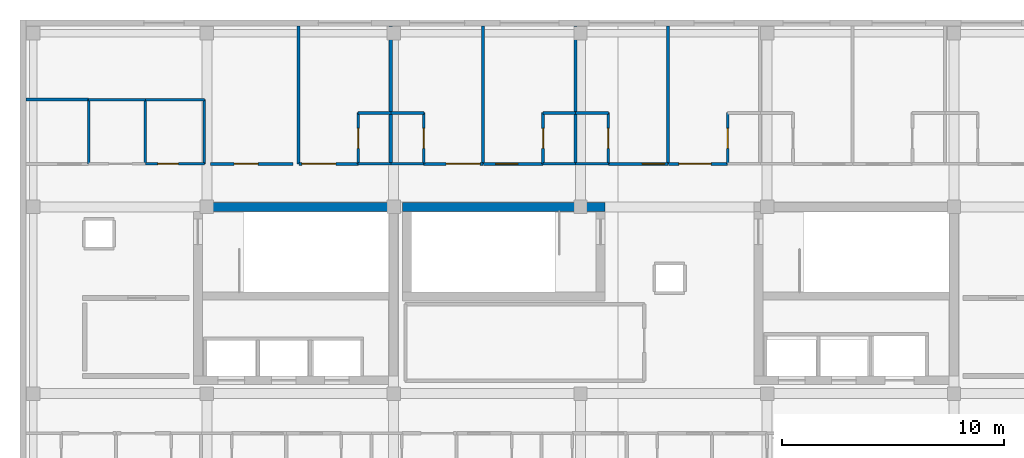
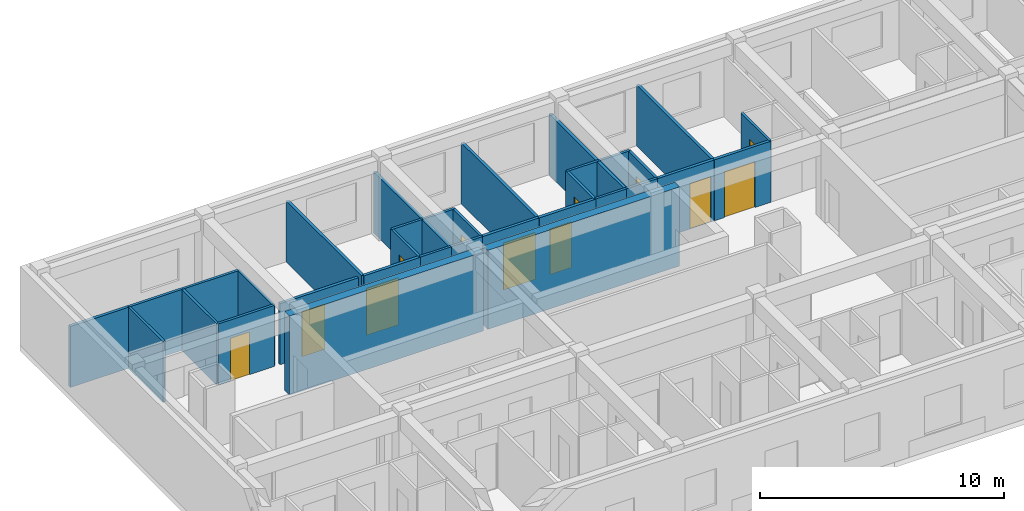
# One storey, part 4 of 7: 33 walls, 12 doors, 12 openings.
"""IFC4 building model written with IfcOpenShell, lengths in metres."""

from ifc_helpers import new_model, si_unit, direction, frame, frame_2d, origin, place, context, subcontext, project, spatial, rectangle, extrude, material, layer, layer_set, type_object, element, fill, save


model = new_model("IFC4")

# Units and contexts
model_context = context("Model", 3, precision=1e-05, world=origin(), true_north=direction((0.0, 1.0)))
body_context = subcontext(model_context, "Body", "Model", "MODEL_VIEW")
ifc_project = project(units=[si_unit("LENGTHUNIT", "METRE"), si_unit("AREAUNIT", "SQUARE_METRE"), si_unit("VOLUMEUNIT", "CUBIC_METRE"), si_unit("PLANEANGLEUNIT", "RADIAN"), si_unit("MASSUNIT", "GRAM", prefix="KILO")], contexts=[model_context])

# Site, building, storey
site_placement = place(None, origin())
site = spatial("IfcSite", under=ifc_project, at=site_placement, CompositionType="ELEMENT")
building_placement = place(site_placement, origin())
building = spatial("IfcBuilding", under=site, at=building_placement, Name="Zayran Congress Hotel", CompositionType="ELEMENT")
storey_placement = place(building_placement, frame((0.0, 0.0, 44.39990234375)))
storey = spatial("IfcBuildingStorey", under=building, at=storey_placement, Name="L11", CompositionType="ELEMENT", Elevation=44.39990234375)

# Walls
ifc_material_1 = material(Name="Concrete C40/50", Category="concrete")
ifc_layer_1 = layer(ifc_material_1, 0.39990234375)
ifc_layer_set_1 = layer_set([ifc_layer_1], Name="Concrete C40/50")
wall_type_1 = type_object("IfcWallType", Name="WL-SH-400", PredefinedType="SHEAR", material=ifc_layer_set_1)
wall_1_placement = place(storey_placement, frame((33.800048828125, 25.5849609375, 0.0), z_axis=(0.0, 0.0, 1.0), x_axis=(-1.0, 0.0, 0.0)))
element("IfcWall", 1, at=wall_1_placement, inside=storey, type_object=wall_type_1, Name="CWALL-C-V5W-L11-N", PredefinedType="SHEAR", context=body_context, shape_type="SweptSolid", body=[
    extrude(rectangle(XDim=9.199951171875, YDim=0.39990234375, at=frame_2d((4.60009765625, 0.0))), origin(), (0.0, 0.0, 1.0), 3.960205078125),
])
wall_2_placement = place(storey_placement, frame((43.10009765625, 25.5849609375, 0.0), z_axis=(0.0, 0.0, 1.0), x_axis=(-1.0, 0.0, 0.0)))
element("IfcWall", 2, at=wall_2_placement, inside=storey, type_object=wall_type_1, Name="CWALL-C-V5M-L11-N", PredefinedType="SHEAR", context=body_context, shape_type="SweptSolid", body=[
    extrude(rectangle(XDim=9.10009765625, YDim=0.39990234375, at=frame_2d((4.550048828125, 0.0))), origin(), (0.0, 0.0, 1.0), 3.960205078125),
])

# Wall, opening, door
ifc_material_2 = material(Name="Hospitality guestroom acoustic partition", Category="gypsum")
ifc_layer_2 = layer(ifc_material_2, 0.139892578125)
ifc_layer_set_2 = layer_set([ifc_layer_2], Name="Hospitality guestroom acoustic partition")
wall_type_2 = type_object("IfcWallType", Name="WL-PT-140", PredefinedType="PARTITIONING", material=ifc_layer_set_2)
wall_3_placement = place(storey_placement, frame((25.360107421875, 27.530029296875, 0.0), z_axis=(0.0, 0.0, 1.0), x_axis=(1.0, 0.0, 0.0)))
wall_3 = element("IfcWall", 3, at=wall_3_placement, inside=storey, type_object=wall_type_2, Name="IW-L11-0849", PredefinedType="PARTITIONING", context=body_context, shape_type="SweptSolid", body=[
    extrude(rectangle(XDim=3.7099609375, YDim=0.139892578125, at=frame_2d((1.85498046875, 0.0))), origin(), (0.0, 0.0, 1.0), 3.06005859375),
])
opening_1_placement = place(wall_3_placement, frame((1.06298828125, 0.0, 0.0)))
opening_1 = element("IfcOpeningElement", 4, at=opening_1_placement, cuts=wall_3, Name="Opening DR-MT-01", PredefinedType="OPENING", context=body_context, shape_type="SweptSolid", body=[
    extrude(rectangle(XDim=1.080078125, YDim=2.25, at=frame_2d((0.5400390625, 1.125))), frame((0.0, 0.079833984375, 0.0), z_axis=(0.0, -1.0, 0.0), x_axis=(1.0, 0.0, 0.0)), (0.0, 0.0, 1.0), 0.159912109375),
])
ifc_material_3 = material(Name="Acoustic timber seminar room door", Category="wood")
door_type_1 = type_object("IfcDoorType", Name="TP-DR-MT-01", OperationType="NOTDEFINED", PredefinedType="DOOR", material=ifc_material_3)
door_1_placement = place(opening_1_placement, origin())
door_1 = element("IfcDoor", 5, at=door_1_placement, inside=storey, type_object=door_type_1, Name="Presidential Dining Salon L11 Door", OperationType="SINGLE_SWING_RIGHT", OverallHeight=2.25, OverallWidth=1.080078125, PredefinedType="DOOR", context=body_context, shape_type="SweptSolid", body=[
    extrude(rectangle(XDim=1.080078125, YDim=2.25, at=frame_2d((0.5400390625, 1.125))), frame((0.0, 0.02490234375, 0.0), z_axis=(0.0, -1.0, 0.0), x_axis=(1.0, 0.0, 0.0)), (0.0, 0.0, 1.0), 0.050048828125),
])
fill(opening_1, door_1)

wall_4_placement = place(storey_placement, frame((29.340087890625, 27.530029296875, 0.0), z_axis=(0.0, 0.0, 1.0), x_axis=(1.0, 0.0, 0.0)))
wall_4 = element("IfcWall", 6, at=wall_4_placement, inside=storey, type_object=wall_type_2, Name="IW-L11-0850", PredefinedType="PARTITIONING", context=body_context, shape_type="SweptSolid", body=[
    extrude(rectangle(XDim=2.6748046875, YDim=0.139892578125, at=frame_2d((1.33740234375, 0.0))), origin(), (0.0, 0.0, 1.0), 3.06005859375),
])
opening_2_placement = place(wall_4_placement, frame((0.139892578125, 0.0, 0.0)))
opening_2 = element("IfcOpeningElement", 7, at=opening_2_placement, cuts=wall_4, Name="Opening DR-ST-02", PredefinedType="OPENING", context=body_context, shape_type="SweptSolid", body=[
    extrude(rectangle(XDim=1.52001953125, YDim=2.35009765625, at=frame_2d((0.760009765625, 1.175048828125))), frame((0.0, 0.079833984375, 0.0), z_axis=(0.0, -1.0, 0.0), x_axis=(1.0, 0.0, 0.0)), (0.0, 0.0, 1.0), 0.159912109375),
])
ifc_material_4 = material(Name="Double presidential suite entry door", Category="steel")
door_type_2 = type_object("IfcDoorType", Name="TP-DR-ST-02", OperationType="DOUBLE_DOOR_SINGLE_SWING", PredefinedType="DOOR", material=ifc_material_4)
door_2_placement = place(opening_2_placement, origin())
door_2 = element("IfcDoor", 8, at=door_2_placement, inside=storey, type_object=door_type_2, Name="Presidential Suite L11-10 Door", OperationType="DOUBLE_DOOR_SINGLE_SWING", OverallHeight=2.35009765625, OverallWidth=1.52001953125, PredefinedType="DOOR", context=body_context, shape_type="SweptSolid", body=[
    extrude(rectangle(XDim=1.52001953125, YDim=2.35009765625, at=frame_2d((0.760009765625, 1.175048828125))), frame((0.0, 0.02490234375, 0.0), z_axis=(0.0, -1.0, 0.0), x_axis=(1.0, 0.0, 0.0)), (0.0, 0.0, 1.0), 0.050048828125),
])
fill(opening_2, door_2)

wall_5_placement = place(storey_placement, frame((34.948974609375, 27.530029296875, 0.0), z_axis=(0.0, 0.0, 1.0), x_axis=(1.0, 0.0, 0.0)))
wall_5 = element("IfcWall", 9, at=wall_5_placement, inside=storey, type_object=wall_type_2, Name="IW-L11-0851", PredefinedType="PARTITIONING", context=body_context, shape_type="SweptSolid", body=[
    extrude(rectangle(XDim=2.675048828125, YDim=0.139892578125, at=frame_2d((1.33740234375, 0.0))), origin(), (0.0, 0.0, 1.0), 3.06005859375),
])
opening_3_placement = place(wall_5_placement, frame((1.014892578125, 0.0, 0.0)))
opening_3 = element("IfcOpeningElement", 10, at=opening_3_placement, cuts=wall_5, Name="Opening DR-ST-02", PredefinedType="OPENING", context=body_context, shape_type="SweptSolid", body=[
    extrude(rectangle(XDim=1.52001953125, YDim=2.35009765625, at=frame_2d((0.760009765625, 1.175048828125))), frame((0.0, 0.079833984375, 0.0), z_axis=(0.0, -1.0, 0.0), x_axis=(1.0, 0.0, 0.0)), (0.0, 0.0, 1.0), 0.159912109375),
])
door_3_placement = place(opening_3_placement, origin())
door_3 = element("IfcDoor", 11, at=door_3_placement, inside=storey, type_object=door_type_2, Name="Presidential Suite L11-11 Door", OperationType="DOUBLE_DOOR_SINGLE_SWING", OverallHeight=2.35009765625, OverallWidth=1.52001953125, PredefinedType="DOOR", context=body_context, shape_type="SweptSolid", body=[
    extrude(rectangle(XDim=1.52001953125, YDim=2.35009765625, at=frame_2d((0.760009765625, 1.175048828125))), frame((0.0, 0.02490234375, 0.0), z_axis=(0.0, -1.0, 0.0), x_axis=(1.0, 0.0, 0.0)), (0.0, 0.0, 1.0), 0.050048828125),
])
fill(opening_3, door_3)

wall_6_placement = place(storey_placement, frame((37.64404296875, 27.530029296875, 0.0), z_axis=(0.0, 0.0, 1.0), x_axis=(1.0, 0.0, 0.0)))
wall_6 = element("IfcWall", 12, at=wall_6_placement, inside=storey, type_object=wall_type_2, Name="IW-L11-0852", PredefinedType="PARTITIONING", context=body_context, shape_type="SweptSolid", body=[
    extrude(rectangle(XDim=2.675048828125, YDim=0.139892578125, at=frame_2d((1.33740234375, 0.0))), origin(), (0.0, 0.0, 1.0), 3.06005859375),
])
opening_4_placement = place(wall_6_placement, frame((0.5390625, 0.0, 0.0)))
opening_4 = element("IfcOpeningElement", 13, at=opening_4_placement, cuts=wall_6, Name="Opening DR-GR-04", PredefinedType="OPENING", context=body_context, shape_type="SweptSolid", body=[
    extrude(rectangle(XDim=1.0, YDim=2.280029296875, at=frame_2d((0.5, 1.14013671875))), frame((0.0, 0.079833984375, 0.0), z_axis=(0.0, -1.0, 0.0), x_axis=(1.0, 0.0, 0.0)), (0.0, 0.0, 1.0), 0.159912109375),
])
ifc_material_5 = material(Name="Diplomatic walnut veneer entry door", Category="wood")
door_type_3 = type_object("IfcDoorType", Name="TP-DR-GR-04", OperationType="NOTDEFINED", PredefinedType="DOOR", material=ifc_material_5)
door_4_placement = place(opening_4_placement, origin())
door_4 = element("IfcDoor", 14, at=door_4_placement, inside=storey, type_object=door_type_3, Name="Guest Room L11-12 Door", OperationType="SINGLE_SWING_LEFT", OverallHeight=2.280029296875, OverallWidth=1.0, PredefinedType="DOOR", context=body_context, shape_type="SweptSolid", body=[
    extrude(rectangle(XDim=1.0, YDim=2.280029296875, at=frame_2d((0.5, 1.14013671875))), frame((0.0, 0.02490234375, 0.0), z_axis=(0.0, -1.0, 0.0), x_axis=(1.0, 0.0, 0.0)), (0.0, 0.0, 1.0), 0.050048828125),
])
fill(opening_4, door_4)

wall_7_placement = place(storey_placement, frame((43.25390625, 27.530029296875, 0.0), z_axis=(0.0, 0.0, 1.0), x_axis=(1.0, 0.0, 0.0)))
wall_7 = element("IfcWall", 15, at=wall_7_placement, inside=storey, type_object=wall_type_2, Name="IW-L11-0853", PredefinedType="PARTITIONING", context=body_context, shape_type="SweptSolid", body=[
    extrude(rectangle(XDim=2.675048828125, YDim=0.139892578125, at=frame_2d((1.33740234375, 0.0))), origin(), (0.0, 0.0, 1.0), 3.06005859375),
])
opening_5_placement = place(wall_7_placement, frame((1.534912109375, 0.0, 0.0)))
opening_5 = element("IfcOpeningElement", 16, at=opening_5_placement, cuts=wall_7, Name="Opening DR-GR-04", PredefinedType="OPENING", context=body_context, shape_type="SweptSolid", body=[
    extrude(rectangle(XDim=1.0, YDim=2.280029296875, at=frame_2d((0.5, 1.14013671875))), frame((0.0, 0.079833984375, 0.0), z_axis=(0.0, -1.0, 0.0), x_axis=(1.0, 0.0, 0.0)), (0.0, 0.0, 1.0), 0.159912109375),
])
door_5_placement = place(opening_5_placement, origin())
door_5 = element("IfcDoor", 17, at=door_5_placement, inside=storey, type_object=door_type_3, Name="Guest Room L11-13 Door", OperationType="SINGLE_SWING_RIGHT", OverallHeight=2.280029296875, OverallWidth=1.0, PredefinedType="DOOR", context=body_context, shape_type="SweptSolid", body=[
    extrude(rectangle(XDim=1.0, YDim=2.280029296875, at=frame_2d((0.5, 1.14013671875))), frame((0.0, 0.02490234375, 0.0), z_axis=(0.0, -1.0, 0.0), x_axis=(1.0, 0.0, 0.0)), (0.0, 0.0, 1.0), 0.050048828125),
])
fill(opening_5, door_5)

wall_8_placement = place(storey_placement, frame((45.948974609375, 27.530029296875, 0.0), z_axis=(0.0, 0.0, 1.0), x_axis=(1.0, 0.0, 0.0)))
wall_8 = element("IfcWall", 18, at=wall_8_placement, inside=storey, type_object=wall_type_2, Name="IW-L11-0854", PredefinedType="PARTITIONING", context=body_context, shape_type="SweptSolid", body=[
    extrude(rectangle(XDim=2.675048828125, YDim=0.139892578125, at=frame_2d((1.33740234375, 0.0))), origin(), (0.0, 0.0, 1.0), 3.06005859375),
])
opening_6_placement = place(wall_8_placement, frame((0.47705078125, 0.0, 0.0)))
opening_6 = element("IfcOpeningElement", 19, at=opening_6_placement, cuts=wall_8, Name="Opening DR-ST-01", PredefinedType="OPENING", context=body_context, shape_type="SweptSolid", body=[
    extrude(rectangle(XDim=1.449951171875, YDim=2.300048828125, at=frame_2d((0.72509765625, 1.14990234375))), frame((0.0, 0.079833984375, 0.0), z_axis=(0.0, -1.0, 0.0), x_axis=(1.0, 0.0, 0.0)), (0.0, 0.0, 1.0), 0.159912109375),
])
ifc_material_6 = material(Name="Double walnut veneer suite entry door", Category="wood")
door_type_4 = type_object("IfcDoorType", Name="TP-DR-ST-01", OperationType="DOUBLE_DOOR_SINGLE_SWING", PredefinedType="DOOR", material=ifc_material_6)
door_6_placement = place(opening_6_placement, origin())
door_6 = element("IfcDoor", 20, at=door_6_placement, inside=storey, type_object=door_type_4, Name="Executive Suite L11-14 Door", OperationType="DOUBLE_DOOR_SINGLE_SWING", OverallHeight=2.300048828125, OverallWidth=1.449951171875, PredefinedType="DOOR", context=body_context, shape_type="SweptSolid", body=[
    extrude(rectangle(XDim=1.449951171875, YDim=2.300048828125, at=frame_2d((0.72509765625, 1.14990234375))), frame((0.0, 0.02490234375, 0.0), z_axis=(0.0, -1.0, 0.0), x_axis=(1.0, 0.0, 0.0)), (0.0, 0.0, 1.0), 0.050048828125),
])
fill(opening_6, door_6)

# Walls
wall_9_placement = place(storey_placement, frame((17.080078125, 30.419921875, 0.0), z_axis=(0.0, 0.0, 1.0), x_axis=(1.0, 0.0, 0.0)))
element("IfcWall", 21, at=wall_9_placement, inside=storey, type_object=wall_type_2, Name="IW-L11-2184", PredefinedType="PARTITIONING", context=body_context, shape_type="SweptSolid", body=[
    extrude(rectangle(XDim=2.7998046875, YDim=0.139892578125, at=frame_2d((1.39990234375, 0.0))), origin(), (0.0, 0.0, 1.0), 3.06005859375),
])
for number, where, z_axis, x_axis, name in (
    (22, (29.320068359375, 27.52001953125, 0.0), (0.0, 0.0, 1.0), (0.0, 1.0, 0.0), "IW-L11-2185"),
    (23, (33.471923828125, 27.52001953125, 0.0), (0.0, 0.0, 1.0), (0.0, 1.0, 0.0), "IW-L11-2186"),
    (24, (37.6240234375, 27.52001953125, 0.0), (0.0, 0.0, 1.0), (0.0, 1.0, 0.0), "IW-L11-2187"),
    (25, (41.777099609375, 27.52001953125, 0.0), (0.0, 0.0, 1.0), (0.0, 1.0, 0.0), "IW-L11-2188"),
    (26, (45.928955078125, 27.52001953125, 0.0), (0.0, 0.0, 1.0), (0.0, 1.0, 0.0), "IW-L11-2189"),
):
    element("IfcWall", number, at=place(storey_placement, frame(where, z_axis=z_axis, x_axis=x_axis)), inside=storey, type_object=wall_type_2, Name=name, PredefinedType="PARTITIONING", context=body_context, shape_type="SweptSolid", body=[
        extrude(rectangle(XDim=6.199951171875, YDim=0.139892578125, at=frame_2d((3.10009765625, 0.0))), origin(), (0.0, 0.0, 1.0), 3.06005859375),
    ])

# Wall, opening, door
ifc_material_7 = material(Name="Moisture-resistant bathroom partition", Category="gypsum")
ifc_layer_3 = layer(ifc_material_7, 0.1201171875)
ifc_layer_set_3 = layer_set([ifc_layer_3], Name="Moisture-resistant bathroom partition")
wall_type_3 = type_object("IfcWallType", Name="WL-PT-120", PredefinedType="PARTITIONING", material=ifc_layer_set_3)
wall_10_placement = place(storey_placement, frame((32.014892578125, 27.52001953125, 0.0), z_axis=(0.0, 0.0, 1.0), x_axis=(0.0, 1.0, 0.0)))
wall_10 = element("IfcWall", 27, at=wall_10_placement, inside=storey, type_object=wall_type_3, Name="IW-L11-0326", PredefinedType="PARTITIONING", context=body_context, shape_type="SweptSolid", body=[
    extrude(rectangle(XDim=2.31005859375, YDim=0.1201171875, at=frame_2d((1.155029296875, 0.0))), origin(), (0.0, 0.0, 1.0), 3.06005859375),
])
opening_7_placement = place(wall_10_placement, frame((0.705078125, 0.0, 0.0)))
opening_7 = element("IfcOpeningElement", 28, at=opening_7_placement, cuts=wall_10, Name="Opening DR-BT-03", PredefinedType="OPENING", context=body_context, shape_type="SweptSolid", body=[
    extrude(rectangle(XDim=0.89990234375, YDim=2.179931640625, at=frame_2d((0.449951171875, 1.08984375))), frame((0.0, 0.070068359375, 0.0), z_axis=(0.0, -1.0, 0.0), x_axis=(1.0, 0.0, 0.0)), (0.0, 0.0, 1.0), 0.14013671875),
])
ifc_material_8 = material(Name="Suite oak en-suite bathroom door", Category="wood")
door_type_5 = type_object("IfcDoorType", Name="TP-DR-BT-03", OperationType="NOTDEFINED", PredefinedType="DOOR", material=ifc_material_8)
door_7_placement = place(opening_7_placement, origin())
door_7 = element("IfcDoor", 29, at=door_7_placement, inside=storey, type_object=door_type_5, Name="En-Suite Bathroom L11-10 Door", OperationType="SINGLE_SWING_LEFT", OverallHeight=2.179931640625, OverallWidth=0.89990234375, PredefinedType="DOOR", context=body_context, shape_type="SweptSolid", body=[
    extrude(rectangle(XDim=0.89990234375, YDim=2.179931640625, at=frame_2d((0.449951171875, 1.08984375))), frame((0.0, 0.02490234375, 0.0), z_axis=(0.0, -1.0, 0.0), x_axis=(1.0, 0.0, 0.0)), (0.0, 0.0, 1.0), 0.050048828125),
])
fill(opening_7, door_7)

wall_11_placement = place(storey_placement, frame((34.948974609375, 27.52001953125, 0.0), z_axis=(0.0, 0.0, 1.0), x_axis=(0.0, 1.0, 0.0)))
wall_11 = element("IfcWall", 30, at=wall_11_placement, inside=storey, type_object=wall_type_3, Name="IW-L11-0327", PredefinedType="PARTITIONING", context=body_context, shape_type="SweptSolid", body=[
    extrude(rectangle(XDim=2.31005859375, YDim=0.1201171875, at=frame_2d((1.155029296875, 0.0))), origin(), (0.0, 0.0, 1.0), 3.06005859375),
])
opening_8_placement = place(wall_11_placement, frame((0.705078125, 0.0, 0.0)))
opening_8 = element("IfcOpeningElement", 31, at=opening_8_placement, cuts=wall_11, Name="Opening DR-BT-03", PredefinedType="OPENING", context=body_context, shape_type="SweptSolid", body=[
    extrude(rectangle(XDim=0.89990234375, YDim=2.179931640625, at=frame_2d((0.449951171875, 1.08984375))), frame((0.0, 0.070068359375, 0.0), z_axis=(0.0, -1.0, 0.0), x_axis=(1.0, 0.0, 0.0)), (0.0, 0.0, 1.0), 0.14013671875),
])
door_8_placement = place(opening_8_placement, origin())
door_8 = element("IfcDoor", 32, at=door_8_placement, inside=storey, type_object=door_type_5, Name="En-Suite Bathroom L11-11 Door", OperationType="SINGLE_SWING_RIGHT", OverallHeight=2.179931640625, OverallWidth=0.89990234375, PredefinedType="DOOR", context=body_context, shape_type="SweptSolid", body=[
    extrude(rectangle(XDim=0.89990234375, YDim=2.179931640625, at=frame_2d((0.449951171875, 1.08984375))), frame((0.0, 0.02490234375, 0.0), z_axis=(0.0, -1.0, 0.0), x_axis=(1.0, 0.0, 0.0)), (0.0, 0.0, 1.0), 0.050048828125),
])
fill(opening_8, door_8)

wall_12_placement = place(storey_placement, frame((40.319091796875, 27.52001953125, 0.0), z_axis=(0.0, 0.0, 1.0), x_axis=(0.0, 1.0, 0.0)))
wall_12 = element("IfcWall", 33, at=wall_12_placement, inside=storey, type_object=wall_type_3, Name="IW-L11-0328", PredefinedType="PARTITIONING", context=body_context, shape_type="SweptSolid", body=[
    extrude(rectangle(XDim=2.31005859375, YDim=0.1201171875, at=frame_2d((1.155029296875, 0.0))), origin(), (0.0, 0.0, 1.0), 3.06005859375),
])
opening_9_placement = place(wall_12_placement, frame((0.705078125, 0.0, 0.0)))
opening_9 = element("IfcOpeningElement", 34, at=opening_9_placement, cuts=wall_12, Name="Opening DR-BT-03", PredefinedType="OPENING", context=body_context, shape_type="SweptSolid", body=[
    extrude(rectangle(XDim=0.89990234375, YDim=2.179931640625, at=frame_2d((0.449951171875, 1.08984375))), frame((0.0, 0.070068359375, 0.0), z_axis=(0.0, -1.0, 0.0), x_axis=(1.0, 0.0, 0.0)), (0.0, 0.0, 1.0), 0.14013671875),
])
door_9_placement = place(opening_9_placement, origin())
door_9 = element("IfcDoor", 35, at=door_9_placement, inside=storey, type_object=door_type_5, Name="En-Suite Bathroom L11-12 Door", OperationType="SINGLE_SWING_LEFT", OverallHeight=2.179931640625, OverallWidth=0.89990234375, PredefinedType="DOOR", context=body_context, shape_type="SweptSolid", body=[
    extrude(rectangle(XDim=0.89990234375, YDim=2.179931640625, at=frame_2d((0.449951171875, 1.08984375))), frame((0.0, 0.02490234375, 0.0), z_axis=(0.0, -1.0, 0.0), x_axis=(1.0, 0.0, 0.0)), (0.0, 0.0, 1.0), 0.050048828125),
])
fill(opening_9, door_9)

wall_13_placement = place(storey_placement, frame((43.25390625, 27.52001953125, 0.0), z_axis=(0.0, 0.0, 1.0), x_axis=(0.0, 1.0, 0.0)))
wall_13 = element("IfcWall", 36, at=wall_13_placement, inside=storey, type_object=wall_type_3, Name="IW-L11-0329", PredefinedType="PARTITIONING", context=body_context, shape_type="SweptSolid", body=[
    extrude(rectangle(XDim=2.31005859375, YDim=0.1201171875, at=frame_2d((1.155029296875, 0.0))), origin(), (0.0, 0.0, 1.0), 3.06005859375),
])
opening_10_placement = place(wall_13_placement, frame((0.705078125, 0.0, 0.0)))
opening_10 = element("IfcOpeningElement", 37, at=opening_10_placement, cuts=wall_13, Name="Opening DR-BT-03", PredefinedType="OPENING", context=body_context, shape_type="SweptSolid", body=[
    extrude(rectangle(XDim=0.89990234375, YDim=2.179931640625, at=frame_2d((0.449951171875, 1.08984375))), frame((0.0, 0.070068359375, 0.0), z_axis=(0.0, -1.0, 0.0), x_axis=(1.0, 0.0, 0.0)), (0.0, 0.0, 1.0), 0.14013671875),
])
door_10_placement = place(opening_10_placement, origin())
door_10 = element("IfcDoor", 38, at=door_10_placement, inside=storey, type_object=door_type_5, Name="En-Suite Bathroom L11-13 Door", OperationType="SINGLE_SWING_RIGHT", OverallHeight=2.179931640625, OverallWidth=0.89990234375, PredefinedType="DOOR", context=body_context, shape_type="SweptSolid", body=[
    extrude(rectangle(XDim=0.89990234375, YDim=2.179931640625, at=frame_2d((0.449951171875, 1.08984375))), frame((0.0, 0.02490234375, 0.0), z_axis=(0.0, -1.0, 0.0), x_axis=(1.0, 0.0, 0.0)), (0.0, 0.0, 1.0), 0.050048828125),
])
fill(opening_10, door_10)

wall_14_placement = place(storey_placement, frame((48.6240234375, 27.52001953125, 0.0), z_axis=(0.0, 0.0, 1.0), x_axis=(0.0, 1.0, 0.0)))
wall_14 = element("IfcWall", 39, at=wall_14_placement, inside=storey, type_object=wall_type_3, Name="IW-L11-0330", PredefinedType="PARTITIONING", context=body_context, shape_type="SweptSolid", body=[
    extrude(rectangle(XDim=2.31005859375, YDim=0.1201171875, at=frame_2d((1.155029296875, 0.0))), origin(), (0.0, 0.0, 1.0), 3.06005859375),
])
opening_11_placement = place(wall_14_placement, frame((0.705078125, 0.0, 0.0)))
opening_11 = element("IfcOpeningElement", 40, at=opening_11_placement, cuts=wall_14, Name="Opening DR-BT-03", PredefinedType="OPENING", context=body_context, shape_type="SweptSolid", body=[
    extrude(rectangle(XDim=0.89990234375, YDim=2.179931640625, at=frame_2d((0.449951171875, 1.08984375))), frame((0.0, 0.070068359375, 0.0), z_axis=(0.0, -1.0, 0.0), x_axis=(1.0, 0.0, 0.0)), (0.0, 0.0, 1.0), 0.14013671875),
])
door_11_placement = place(opening_11_placement, origin())
door_11 = element("IfcDoor", 41, at=door_11_placement, inside=storey, type_object=door_type_5, Name="En-Suite Bathroom L11-14 Door", OperationType="SINGLE_SWING_LEFT", OverallHeight=2.179931640625, OverallWidth=0.89990234375, PredefinedType="DOOR", context=body_context, shape_type="SweptSolid", body=[
    extrude(rectangle(XDim=0.89990234375, YDim=2.179931640625, at=frame_2d((0.449951171875, 1.08984375))), frame((0.0, 0.02490234375, 0.0), z_axis=(0.0, -1.0, 0.0), x_axis=(1.0, 0.0, 0.0)), (0.0, 0.0, 1.0), 0.050048828125),
])
fill(opening_11, door_11)

wall_15_placement = place(storey_placement, frame((22.43994140625, 27.530029296875, 0.0), z_axis=(0.0, 0.0, 1.0), x_axis=(1.0, 0.0, 0.0)))
wall_15 = element("IfcWall", 42, at=wall_15_placement, inside=storey, type_object=wall_type_3, Name="IW-L11-0378", PredefinedType="PARTITIONING", context=body_context, shape_type="SweptSolid", body=[
    extrude(rectangle(XDim=2.66015625, YDim=0.1201171875, at=frame_2d((1.330078125, 0.0))), origin(), (0.0, 0.0, 1.0), 3.06005859375),
])
opening_12_placement = place(wall_15_placement, frame((0.56103515625, 0.0, 0.0)))
opening_12 = element("IfcOpeningElement", 43, at=opening_12_placement, cuts=wall_15, Name="Opening DR-WC-01", PredefinedType="OPENING", context=body_context, shape_type="SweptSolid", body=[
    extrude(rectangle(XDim=0.919921875, YDim=2.14990234375, at=frame_2d((0.4599609375, 1.074951171875))), frame((0.0, 0.070068359375, 0.0), z_axis=(0.0, -1.0, 0.0), x_axis=(1.0, 0.0, 0.0)), (0.0, 0.0, 1.0), 0.14013671875),
])
ifc_material_9 = material(Name="Laminated timber public washroom door", Category="wood")
door_type_6 = type_object("IfcDoorType", Name="TP-DR-WC-01", OperationType="NOTDEFINED", PredefinedType="DOOR", material=ifc_material_9)
door_12_placement = place(opening_12_placement, origin())
door_12 = element("IfcDoor", 44, at=door_12_placement, inside=storey, type_object=door_type_6, Name="Public WC L11 Door", OperationType="SINGLE_SWING_LEFT", OverallHeight=2.14990234375, OverallWidth=0.919921875, PredefinedType="DOOR", context=body_context, shape_type="SweptSolid", body=[
    extrude(rectangle(XDim=0.919921875, YDim=2.14990234375, at=frame_2d((0.4599609375, 1.074951171875))), frame((0.0, 0.02490234375, 0.0), z_axis=(0.0, -1.0, 0.0), x_axis=(1.0, 0.0, 0.0)), (0.0, 0.0, 1.0), 0.050048828125),
])
fill(opening_12, door_12)

# Walls
for number, where, z_axis, x_axis, name in (
    (45, (32.0048828125, 27.530029296875, 0.0), (0.0, 0.0, 1.0), (1.0, 0.0, 0.0), "IW-L11-1519"),
    (46, (32.0048828125, 29.820068359375, 0.0), (0.0, 0.0, 1.0), (1.0, 0.0, 0.0), "IW-L11-1520"),
):
    element("IfcWall", number, at=place(storey_placement, frame(where, z_axis=z_axis, x_axis=x_axis)), inside=storey, type_object=wall_type_3, Name=name, PredefinedType="PARTITIONING", context=body_context, shape_type="SweptSolid", body=[
        extrude(rectangle(XDim=1.47705078125, YDim=0.1201171875, at=frame_2d((0.738525390625, 0.0))), origin(), (0.0, 0.0, 1.0), 3.06005859375),
    ])
wall_16_placement = place(storey_placement, frame((33.48193359375, 27.530029296875, 0.0), z_axis=(0.0, 0.0, 1.0), x_axis=(1.0, 0.0, 0.0)))
element("IfcWall", 47, at=wall_16_placement, inside=storey, type_object=wall_type_3, Name="IW-L11-1521", PredefinedType="PARTITIONING", context=body_context, shape_type="SweptSolid", body=[
    extrude(rectangle(XDim=1.467041015625, YDim=0.1201171875, at=frame_2d((0.7333984375, 0.0))), origin(), (0.0, 0.0, 1.0), 3.06005859375),
])
wall_17_placement = place(storey_placement, frame((33.48193359375, 29.820068359375, 0.0), z_axis=(0.0, 0.0, 1.0), x_axis=(1.0, 0.0, 0.0)))
element("IfcWall", 48, at=wall_17_placement, inside=storey, type_object=wall_type_3, Name="IW-L11-1522", PredefinedType="PARTITIONING", context=body_context, shape_type="SweptSolid", body=[
    extrude(rectangle(XDim=1.47705078125, YDim=0.1201171875, at=frame_2d((0.738525390625, 0.0))), origin(), (0.0, 0.0, 1.0), 3.06005859375),
])
wall_18_placement = place(storey_placement, frame((40.319091796875, 27.530029296875, 0.0), z_axis=(0.0, 0.0, 1.0), x_axis=(1.0, 0.0, 0.0)))
element("IfcWall", 49, at=wall_18_placement, inside=storey, type_object=wall_type_3, Name="IW-L11-1523", PredefinedType="PARTITIONING", context=body_context, shape_type="SweptSolid", body=[
    extrude(rectangle(XDim=1.468017578125, YDim=0.1201171875, at=frame_2d((0.73388671875, 0.0))), origin(), (0.0, 0.0, 1.0), 3.06005859375),
])
wall_19_placement = place(storey_placement, frame((40.30908203125, 29.820068359375, 0.0), z_axis=(0.0, 0.0, 1.0), x_axis=(1.0, 0.0, 0.0)))
element("IfcWall", 50, at=wall_19_placement, inside=storey, type_object=wall_type_3, Name="IW-L11-1524", PredefinedType="PARTITIONING", context=body_context, shape_type="SweptSolid", body=[
    extrude(rectangle(XDim=1.47802734375, YDim=0.1201171875, at=frame_2d((0.739013671875, 0.0))), origin(), (0.0, 0.0, 1.0), 3.06005859375),
])
wall_20_placement = place(storey_placement, frame((41.787109375, 27.530029296875, 0.0), z_axis=(0.0, 0.0, 1.0), x_axis=(1.0, 0.0, 0.0)))
element("IfcWall", 51, at=wall_20_placement, inside=storey, type_object=wall_type_3, Name="IW-L11-1525", PredefinedType="PARTITIONING", context=body_context, shape_type="SweptSolid", body=[
    extrude(rectangle(XDim=1.466796875, YDim=0.1201171875, at=frame_2d((0.7333984375, 0.0))), origin(), (0.0, 0.0, 1.0), 3.06005859375),
])
wall_21_placement = place(storey_placement, frame((41.787109375, 29.820068359375, 0.0), z_axis=(0.0, 0.0, 1.0), x_axis=(1.0, 0.0, 0.0)))
element("IfcWall", 52, at=wall_21_placement, inside=storey, type_object=wall_type_3, Name="IW-L11-1526", PredefinedType="PARTITIONING", context=body_context, shape_type="SweptSolid", body=[
    extrude(rectangle(XDim=1.476806640625, YDim=0.1201171875, at=frame_2d((0.73828125, 0.0))), origin(), (0.0, 0.0, 1.0), 3.06005859375),
])
wall_22_placement = place(storey_placement, frame((19.8798828125, 30.419921875, 0.0), z_axis=(0.0, 0.0, 1.0), x_axis=(1.0, 0.0, 0.0)))
element("IfcWall", 53, at=wall_22_placement, inside=storey, type_object=wall_type_3, Name="IW-L11-1627", PredefinedType="PARTITIONING", context=body_context, shape_type="SweptSolid", body=[
    extrude(rectangle(XDim=2.56005859375, YDim=0.1201171875, at=frame_2d((1.280029296875, 0.0))), origin(), (0.0, 0.0, 1.0), 3.06005859375),
])
for number, where, z_axis, x_axis, name in (
    (54, (19.889892578125, 27.52001953125, 0.0), (0.0, 0.0, 1.0), (0.0, 1.0, 0.0), "IW-L11-1628"),
    (55, (22.429931640625, 27.52001953125, 0.0), (0.0, 0.0, 1.0), (0.0, 1.0, 0.0), "IW-L11-1629"),
):
    element("IfcWall", number, at=place(storey_placement, frame(where, z_axis=z_axis, x_axis=x_axis)), inside=storey, type_object=wall_type_3, Name=name, PredefinedType="PARTITIONING", context=body_context, shape_type="SweptSolid", body=[
        extrude(rectangle(XDim=2.909912109375, YDim=0.1201171875, at=frame_2d((1.455078125, 0.0))), origin(), (0.0, 0.0, 1.0), 3.06005859375),
    ])
wall_23_placement = place(storey_placement, frame((22.43994140625, 30.419921875, 0.0), z_axis=(0.0, 0.0, 1.0), x_axis=(1.0, 0.0, 0.0)))
element("IfcWall", 56, at=wall_23_placement, inside=storey, type_object=wall_type_3, Name="IW-L11-1630", PredefinedType="PARTITIONING", context=body_context, shape_type="SweptSolid", body=[
    extrude(rectangle(XDim=2.66015625, YDim=0.1201171875, at=frame_2d((1.330078125, 0.0))), origin(), (0.0, 0.0, 1.0), 3.06005859375),
])
wall_24_placement = place(storey_placement, frame((25.090087890625, 27.52001953125, 0.0), z_axis=(0.0, 0.0, 1.0), x_axis=(0.0, 1.0, 0.0)))
element("IfcWall", 57, at=wall_24_placement, inside=storey, type_object=wall_type_3, Name="IW-L11-1631", PredefinedType="PARTITIONING", context=body_context, shape_type="SweptSolid", body=[
    extrude(rectangle(XDim=2.909912109375, YDim=0.1201171875, at=frame_2d((1.455078125, 0.0))), origin(), (0.0, 0.0, 1.0), 3.06005859375),
])

save(model, "model.ifc")
